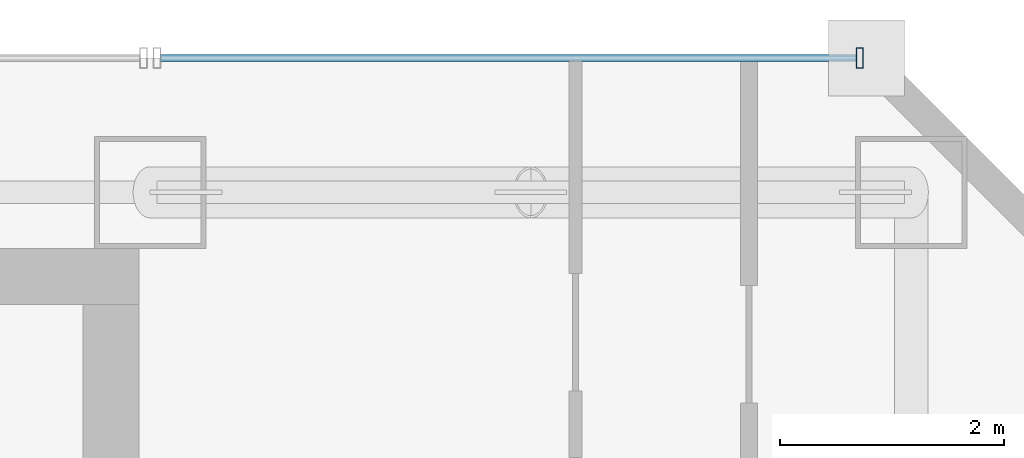
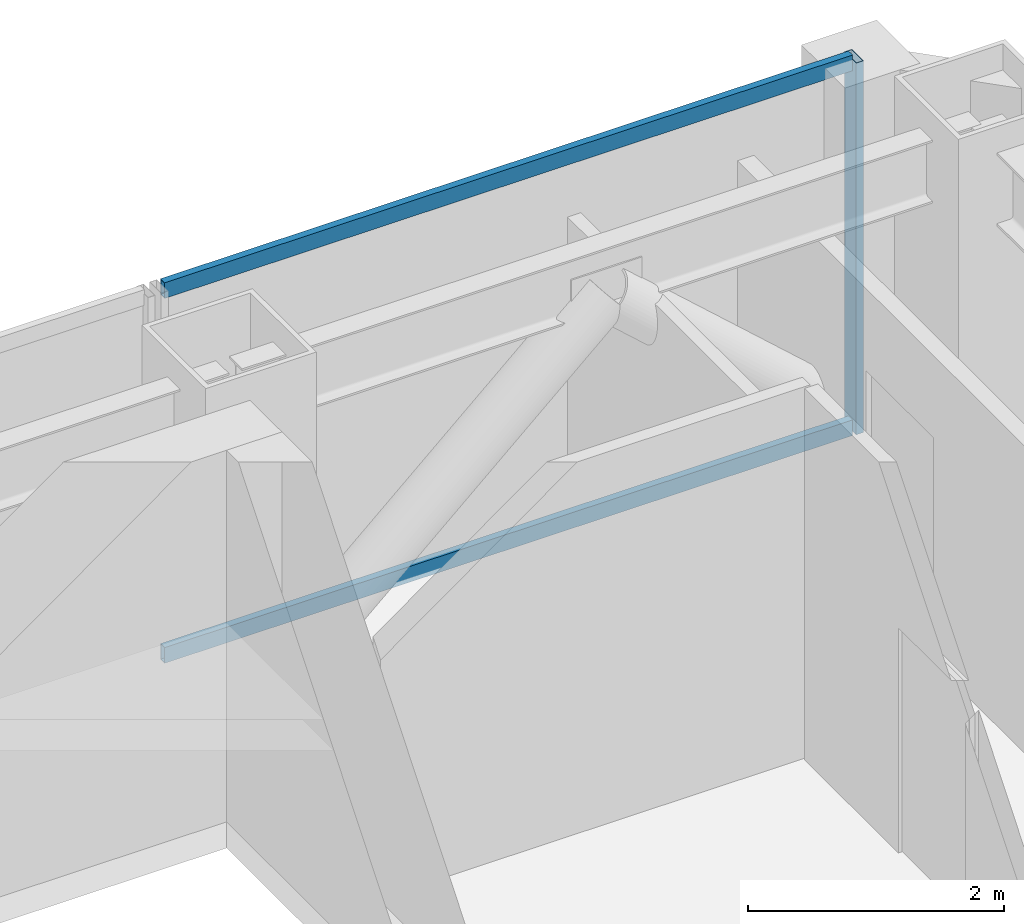
# One storey, part 29 of 38: 3 members, 1 element without a shape of its own.
"""IFC4 building model written with IfcOpenShell, lengths in metres."""

from ifc_helpers import new_model, si_unit, direction, frame, origin, origin_2d, place, context, subcontext, project, spatial, hollow_rectangle, extrude, material, material_profile, profile_set, type_object, element, aggregate, save


model = new_model("IFC4")

# Units and contexts
model_context = context("Model", 3, precision=1e-05, world=origin(), true_north=direction((0.0, 1.0)))
body_context = subcontext(model_context, "Body", "Model", "MODEL_VIEW")
ifc_project = project(units=[si_unit("LENGTHUNIT", "METRE"), si_unit("AREAUNIT", "SQUARE_METRE"), si_unit("VOLUMEUNIT", "CUBIC_METRE"), si_unit("PLANEANGLEUNIT", "RADIAN"), si_unit("MASSUNIT", "GRAM", prefix="KILO")], contexts=[model_context])

# Site, building, storey
site_placement = place(None, origin())
site = spatial("IfcSite", under=ifc_project, at=site_placement, CompositionType="ELEMENT")
building_placement = place(site_placement, origin())
building = spatial("IfcBuilding", under=site, at=building_placement, Name="Saevonmaru Cultural Tower", CompositionType="ELEMENT")
storey_placement = place(building_placement, frame((0.0, 0.0, 137.199951171875)))
storey = spatial("IfcBuildingStorey", under=building, at=storey_placement, Name="L29", CompositionType="ELEMENT", Elevation=137.199951171875)

# Curtain wall, members
ifc_material = material(Name="Satin Bronze Anodised Aluminium", Category="aluminium")
curtain_wall_type = type_object("IfcCurtainWallType", Name="CW-TYP-A", PredefinedType="NOTDEFINED", material=ifc_material)
curtain_wall_placement = place(storey_placement, origin())
curtain_wall = element("IfcCurtainWall", 1, at=curtain_wall_placement, inside=storey, type_object=curtain_wall_type, Name="L29 East Braced Bay Spandrel Curtain Wall E10A", PredefinedType="NOTDEFINED")
ifc_material_profile_1 = material_profile(ifc_material, hollow_rectangle(XDim=0.06494140625, YDim=0.179931640625, WallThickness=0.00390625, at=origin_2d()), Name="ALU-MULL-180x65x4")
ifc_profile_set_1 = profile_set([ifc_material_profile_1], Name="Satin Bronze Anodised Aluminium")
member_type_1 = type_object("IfcMemberType", Name="ML-CW-180x65", PredefinedType="MULLION", material=ifc_profile_set_1)
member_1_placement = place(storey_placement, frame((52.739990234375, 56.0, 0.0), z_axis=(0.0, 0.0, 1.0), x_axis=(-1.0, 0.0, 0.0)))
member_1 = element("IfcMember", 2, at=member_1_placement, type_object=member_type_1, Name="CW-TW-L29-E10A mullion 1", PredefinedType="MULLION", context=body_context, shape_type="SweptSolid", body=[
    extrude(hollow_rectangle(XDim=0.06494140625, YDim=0.179931640625, WallThickness=0.00390625, at=origin_2d()), origin(), (0.0, 0.0, 1.0), 3.550048828125),
])
ifc_material_profile_2 = material_profile(ifc_material, hollow_rectangle(XDim=0.06494140625, YDim=0.14990234375, WallThickness=0.00390625, at=origin_2d()), Name="ALU-TRAN-150x65x4")
ifc_profile_set_2 = profile_set([ifc_material_profile_2], Name="Satin Bronze Anodised Aluminium")
member_type_2 = type_object("IfcMemberType", Name="TR-CW-150x65", PredefinedType="USERDEFINED", material=ifc_profile_set_2)
member_2_placement = place(storey_placement, frame((52.70751953125, 56.0, 0.032470703125), z_axis=(-1.0, 0.0, 0.0), x_axis=(0.0, -1.0, 0.0)))
member_2 = element("IfcMember", 3, at=member_2_placement, type_object=member_type_2, Name="CW-TW-L29-E10A transom 1.1", ObjectType="TRANSOM", PredefinedType="USERDEFINED", context=body_context, shape_type="SweptSolid", body=[
    extrude(hollow_rectangle(XDim=0.06494140625, YDim=0.14990234375, WallThickness=0.00390625, at=origin_2d()), origin(), (0.0, 0.0, 1.0), 6.215087890625),
])
member_3_placement = place(storey_placement, frame((52.70751953125, 56.0, 3.517578125), z_axis=(-1.0, 0.0, 0.0), x_axis=(0.0, -1.0, 0.0)))
member_3 = element("IfcMember", 4, at=member_3_placement, type_object=member_type_2, Name="CW-TW-L29-E10A transom 1.2", ObjectType="TRANSOM", PredefinedType="USERDEFINED", context=body_context, shape_type="SweptSolid", body=[
    extrude(hollow_rectangle(XDim=0.06494140625, YDim=0.14990234375, WallThickness=0.00390625, at=origin_2d()), origin(), (0.0, 0.0, 1.0), 6.215087890625),
])
aggregate(curtain_wall, [member_1, member_2, member_3])

save(model, "model.ifc")
